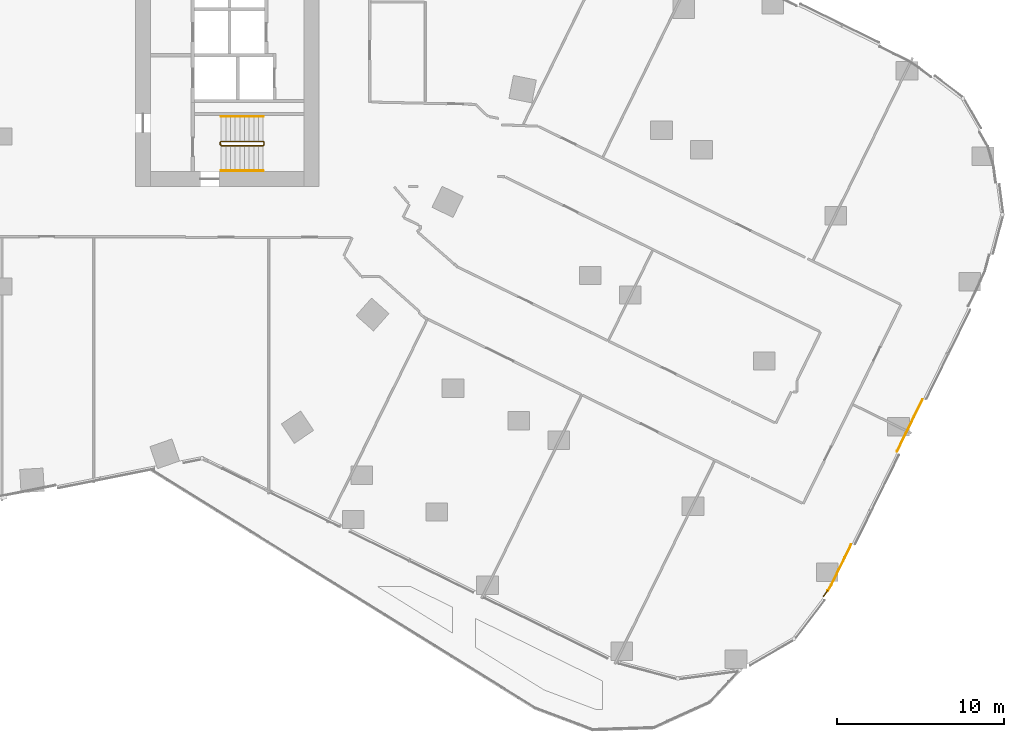
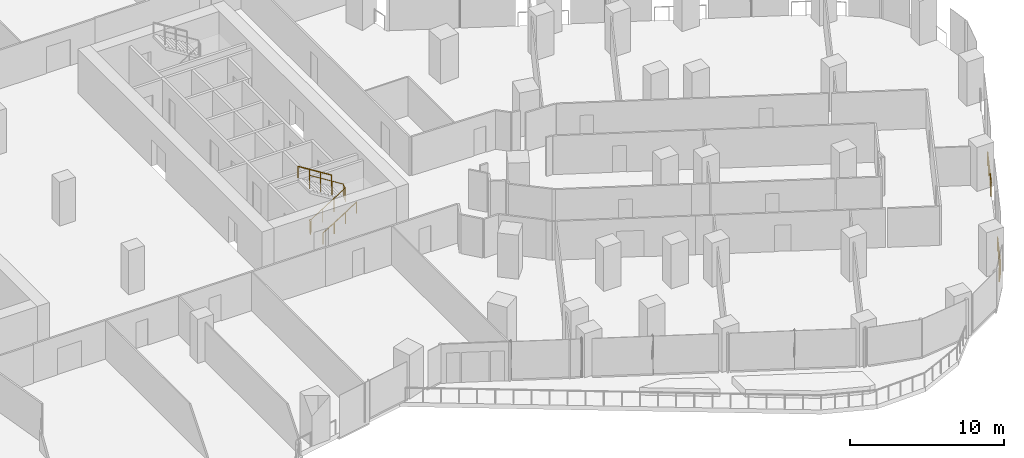
# One storey, part 30 of 32: 7 railings.
"""IFC4 building model written with IfcOpenShell, lengths in metres."""

from ifc_helpers import new_model, si_unit, direction, frame, origin, origin_2d, place, context, subcontext, project, spatial, circle, extrude, material, type_object, element, save


model = new_model("IFC4")

# Units and contexts
model_context = context("Model", 3, precision=1e-05, world=origin(), true_north=direction((0.0, 1.0)))
body_context = subcontext(model_context, "Body", "Model", "MODEL_VIEW")
ifc_project = project(units=[si_unit("LENGTHUNIT", "METRE"), si_unit("AREAUNIT", "SQUARE_METRE"), si_unit("VOLUMEUNIT", "CUBIC_METRE"), si_unit("PLANEANGLEUNIT", "RADIAN"), si_unit("MASSUNIT", "GRAM", prefix="KILO")], contexts=[model_context])

# Site, building, storey
site_placement = place(None, origin())
site = spatial("IfcSite", under=ifc_project, at=site_placement, CompositionType="ELEMENT")
building_placement = place(site_placement, origin())
building = spatial("IfcBuilding", under=site, at=building_placement, Name="Orlundy Tower", CompositionType="ELEMENT")
storey_placement = place(building_placement, frame((0.0, 0.0, 58.800048828125)))
storey = spatial("IfcBuildingStorey", under=building, at=storey_placement, Name="L13", CompositionType="ELEMENT", Elevation=58.800048828125)

# Railings
ifc_material_1 = material(Name="Steel balustrade", Category="steel")
railing_type_1 = type_object("IfcRailingType", Name="Stair Guard 1100", PredefinedType="GUARDRAIL", material=ifc_material_1)
railing_1_placement = place(storey_placement, frame((13.090087890625, -9.5, 0.0)))
element("IfcRailing", 1, at=railing_1_placement, inside=storey, type_object=railing_type_1, Name="L13 ST-E1 stair guard 1", PredefinedType="GUARDRAIL", context=body_context, shape_type="SweptSolid", body=[
    extrude(circle(Radius=0.02392578125, at=origin_2d()), frame((0.0, 0.0, 1.076171875), z_axis=(0.0, 1.0, 0.0), x_axis=(-1.0, 0.0, 0.0)), (0.0, 0.0, 1.0), 0.14990234375),
    extrude(circle(Radius=0.02392578125, at=origin_2d()), frame((0.0, 0.14990234375, 1.076171875), z_axis=(0.18420542264, -0.739530593833, 0.647427882513), x_axis=(0.970351222016, 0.241699205484, 0.0)), (0.0, 0.0, 1.0), 0.270263671875),
    extrude(circle(Radius=0.02392578125, at=origin_2d()), frame((0.0498046875, -0.050048828125, 1.2509765625), z_axis=(0.848007534815, 0.0, 0.529984170421), x_axis=(0.0, 1.0, 0.0)), (0.0, 0.0, 1.0), 2.9716796875),
    extrude(circle(Radius=0.02392578125, at=origin_2d()), frame((2.56982421875, -0.050048828125, 2.826171875), z_axis=(0.707106781187, 0.707106781187, 0.0), x_axis=(-0.707106781187, 0.707106781187, 0.0)), (0.0, 0.0, 1.0), 0.07080078125),
    extrude(circle(Radius=0.02392578125, at=origin_2d()), frame((2.619873046875, 0.0, 2.826171875), z_axis=(0.0, 1.0, 0.0), x_axis=(-1.0, 0.0, 0.0)), (0.0, 0.0, 1.0), 0.14990234375),
    extrude(circle(Radius=0.02392578125, at=origin_2d()), frame((2.619873046875, 0.14990234375, 2.826171875), z_axis=(-0.265065253269, 0.265065253269, 0.927081885822), x_axis=(-0.707106781187, -0.707106781187, 0.0)), (0.0, 0.0, 1.0), 0.188720703125),
    extrude(circle(Radius=0.02392578125, at=origin_2d()), frame((2.56982421875, 0.199951171875, 3.0009765625), z_axis=(-0.848007534815, 0.0, 0.529984170421), x_axis=(0.0, -1.0, 0.0)), (0.0, 0.0, 1.0), 2.9716796875),
    extrude(circle(Radius=0.02099609375, at=origin_2d()), origin(), (0.0, 0.0, 1.0), 1.052001953125),
    extrude(circle(Radius=0.02099609375, at=origin_2d()), frame((0.0, 0.14990234375, 0.0)), (0.0, 0.0, 1.0), 1.052001953125),
    extrude(circle(Radius=0.02099609375, at=origin_2d()), frame((0.0498046875, -0.050048828125, 0.175048828125)), (0.0, 0.0, 1.0), 1.052001953125),
    extrude(circle(Radius=0.02099609375, at=origin_2d()), frame((0.889892578125, -0.050048828125, 0.699951171875)), (0.0, 0.0, 1.0), 1.052001953125),
    extrude(circle(Radius=0.02099609375, at=origin_2d()), frame((1.729736328125, -0.050048828125, 1.22509765625)), (0.0, 0.0, 1.0), 1.052001953125),
    extrude(circle(Radius=0.02099609375, at=origin_2d()), frame((2.56982421875, -0.050048828125, 1.75)), (0.0, 0.0, 1.0), 1.052001953125),
    extrude(circle(Radius=0.02099609375, at=origin_2d()), frame((2.619873046875, 0.0, 1.75)), (0.0, 0.0, 1.0), 1.052001953125),
    extrude(circle(Radius=0.02099609375, at=origin_2d()), frame((2.619873046875, 0.14990234375, 1.75)), (0.0, 0.0, 1.0), 1.052001953125),
    extrude(circle(Radius=0.02099609375, at=origin_2d()), frame((2.56982421875, 0.199951171875, 1.925048828125)), (0.0, 0.0, 1.0), 1.052001953125),
    extrude(circle(Radius=0.02099609375, at=origin_2d()), frame((1.729736328125, 0.199951171875, 2.449951171875)), (0.0, 0.0, 1.0), 1.052001953125),
    extrude(circle(Radius=0.02099609375, at=origin_2d()), frame((0.889892578125, 0.199951171875, 2.97509765625)), (0.0, 0.0, 1.0), 1.052001953125),
    extrude(circle(Radius=0.02099609375, at=origin_2d()), frame((0.0498046875, 0.199951171875, 3.5)), (0.0, 0.0, 1.0), 1.052001953125),
])
ifc_material_2 = material(Name="Steel handrail", Category="steel")
railing_type_2 = type_object("IfcRailingType", Name="Stair Handrail 900", PredefinedType="HANDRAIL", material=ifc_material_2)
railing_2_placement = place(storey_placement, frame((13.139892578125, -11.050048828125, 0.175048828125)))
element("IfcRailing", 2, at=railing_2_placement, inside=storey, type_object=railing_type_2, Name="L13 ST-E1 stair handrail 1", PredefinedType="HANDRAIL", context=body_context, shape_type="SweptSolid", body=[
    extrude(circle(Radius=0.02392578125, at=origin_2d()), frame((0.0, 0.0, 0.8759765625), z_axis=(0.848007534815, 0.0, 0.529984170421), x_axis=(0.0, 1.0, 0.0)), (0.0, 0.0, 1.0), 2.9716796875),
    extrude(circle(Radius=0.02099609375, at=origin_2d()), origin(), (0.0, 0.0, 1.0), 0.851806640625),
    extrude(circle(Radius=0.02099609375, at=origin_2d()), frame((0.840087890625, 0.0, 0.52490234375)), (0.0, 0.0, 1.0), 0.851806640625),
    extrude(circle(Radius=0.02099609375, at=origin_2d()), frame((1.679931640625, 0.0, 1.050048828125)), (0.0, 0.0, 1.0), 0.851806640625),
    extrude(circle(Radius=0.02099609375, at=origin_2d()), frame((2.52001953125, 0.0, 1.574951171875)), (0.0, 0.0, 1.0), 0.851806640625),
])
railing_3_placement = place(storey_placement, frame((15.659912109375, -7.800048828125, 1.925048828125)))
element("IfcRailing", 3, at=railing_3_placement, inside=storey, type_object=railing_type_2, Name="L13 ST-E1 stair handrail 2", PredefinedType="HANDRAIL", context=body_context, shape_type="SweptSolid", body=[
    extrude(circle(Radius=0.02392578125, at=origin_2d()), frame((0.0, 0.0, 0.8759765625), z_axis=(-0.848007534815, 0.0, 0.529984170421), x_axis=(0.0, -1.0, 0.0)), (0.0, 0.0, 1.0), 2.9716796875),
    extrude(circle(Radius=0.02099609375, at=origin_2d()), origin(), (0.0, 0.0, 1.0), 0.851806640625),
    extrude(circle(Radius=0.02099609375, at=origin_2d()), frame((-0.840087890625, 0.0, 0.52490234375)), (0.0, 0.0, 1.0), 0.851806640625),
    extrude(circle(Radius=0.02099609375, at=origin_2d()), frame((-1.679931640625, 0.0, 1.050048828125)), (0.0, 0.0, 1.0), 0.851806640625),
    extrude(circle(Radius=0.02099609375, at=origin_2d()), frame((-2.52001953125, 0.0, 1.574951171875)), (0.0, 0.0, 1.0), 0.851806640625),
])
ifc_material_3 = material(Name="Stainless steel bronze finish", Category="steel")
railing_type_3 = type_object("IfcRailingType", Name="TG1 terrace guard", PredefinedType="GUARDRAIL", material=ifc_material_3)
railing_4_placement = place(storey_placement, frame((55.1923828125, -24.771728515625, 0.0)))
element("IfcRailing", 4, at=railing_4_placement, inside=storey, type_object=railing_type_3, Name="Guard TG-L13-E03", PredefinedType="GUARDRAIL", context=body_context, shape_type="SweptSolid", body=[
    extrude(circle(Radius=0.02490234375, at=origin_2d()), frame((0.0, 0.0, 1.09521484375), z_axis=(-0.440967677617, -0.897522984272, 0.0), x_axis=(0.897522984272, -0.440967677617, 0.0)), (0.0, 0.0, 1.0), 3.46142578125),
    extrude(circle(Radius=0.02001953125, at=origin_2d()), origin(), (0.0, 0.0, 1.0), 1.070068359375),
    extrude(circle(Radius=0.02001953125, at=origin_2d()), frame((-0.5087890625, -1.03564453125, 0.0)), (0.0, 0.0, 1.0), 1.070068359375),
    extrude(circle(Radius=0.02001953125, at=origin_2d()), frame((-1.017578125, -2.071044921875, 0.0)), (0.0, 0.0, 1.0), 1.070068359375),
    extrude(circle(Radius=0.02001953125, at=origin_2d()), frame((-1.5263671875, -3.106689453125, 0.0)), (0.0, 0.0, 1.0), 1.070068359375),
])
railing_5_placement = place(storey_placement, frame((50.916015625, -33.474609375, 0.0)))
element("IfcRailing", 5, at=railing_5_placement, inside=storey, type_object=railing_type_3, Name="Guard TG-L13-E022", PredefinedType="GUARDRAIL", context=body_context, shape_type="SweptSolid", body=[
    extrude(circle(Radius=0.02490234375, at=origin_2d()), frame((0.0, 0.0, 1.09521484375), z_axis=(-0.441017204727, -0.897498649099, 0.0), x_axis=(0.897498649099, -0.441017204727, 0.0)), (0.0, 0.0, 1.0), 1.705078125),
    extrude(circle(Radius=0.02001953125, at=origin_2d()), origin(), (0.0, 0.0, 1.0), 1.070068359375),
    extrude(circle(Radius=0.02001953125, at=origin_2d()), frame((-0.3759765625, -0.76513671875, 0.0)), (0.0, 0.0, 1.0), 1.070068359375),
    extrude(circle(Radius=0.02001953125, at=origin_2d()), frame((-0.751953125, -1.5302734375, 0.0)), (0.0, 0.0, 1.0), 1.070068359375),
])
railing_6_placement = place(storey_placement, frame((50.1640625, -35.0048828125, 0.0)))
element("IfcRailing", 6, at=railing_6_placement, inside=storey, type_object=railing_type_3, Name="Guard TG-L13-E023", PredefinedType="GUARDRAIL", context=body_context, shape_type="SweptSolid", body=[
    extrude(circle(Radius=0.02490234375, at=origin_2d()), frame((0.0, 0.0, 1.09521484375), z_axis=(-0.441075699001, -0.897469903535, 0.0), x_axis=(0.897469903535, -0.441075699001, 0.0)), (0.0, 0.0, 1.0), 1.004150390625),
    extrude(circle(Radius=0.02490234375, at=origin_2d()), frame((-0.44287109375, -0.901123046875, 1.09521484375), z_axis=(-0.526957751394, -0.849891480276, 0.0), x_axis=(0.849891480276, -0.526957751394, 0.0)), (0.0, 0.0, 1.0), 0.39013671875),
    extrude(circle(Radius=0.02001953125, at=origin_2d()), origin(), (0.0, 0.0, 1.0), 1.070068359375),
    extrude(circle(Radius=0.02001953125, at=origin_2d()), frame((-0.44287109375, -0.901123046875, 0.0)), (0.0, 0.0, 1.0), 1.070068359375),
    extrude(circle(Radius=0.02001953125, at=origin_2d()), frame((-0.6484375, -1.232666015625, 0.0)), (0.0, 0.0, 1.0), 1.070068359375),
])
railing_7_placement = place(storey_placement, frame((49.515625, -36.237548828125, 0.0)))
element("IfcRailing", 7, at=railing_7_placement, inside=storey, type_object=railing_type_3, Name="Guard TG-L13-E029", PredefinedType="GUARDRAIL", context=body_context, shape_type="SweptSolid", body=[
    extrude(circle(Radius=0.02490234375, at=origin_2d()), frame((0.0, 0.0, 1.09521484375), z_axis=(-0.607276367989, -0.794490662552, 0.0), x_axis=(0.794490662552, -0.607276367989, 0.0)), (0.0, 0.0, 1.0), 0.417236328125),
    extrude(circle(Radius=0.02001953125, at=origin_2d()), origin(), (0.0, 0.0, 1.0), 1.070068359375),
    extrude(circle(Radius=0.02001953125, at=origin_2d()), frame((-0.25341796875, -0.33154296875, 0.0)), (0.0, 0.0, 1.0), 1.070068359375),
])

save(model, "model.ifc")
